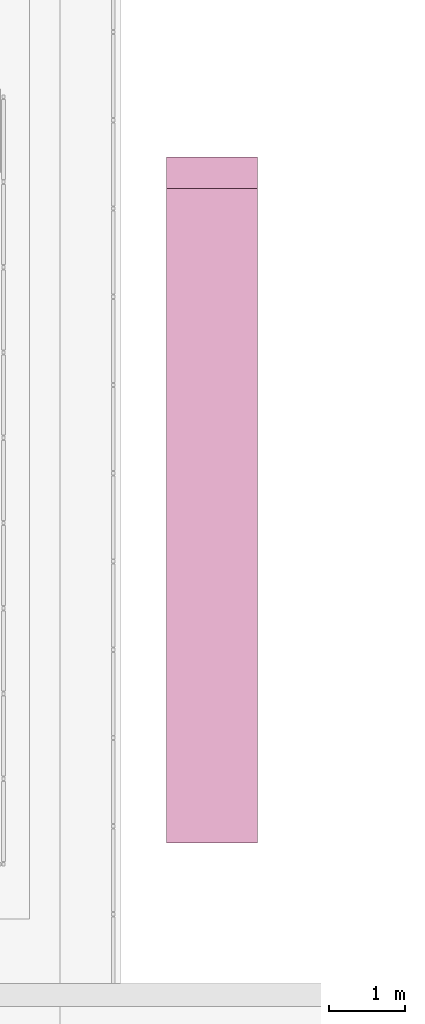
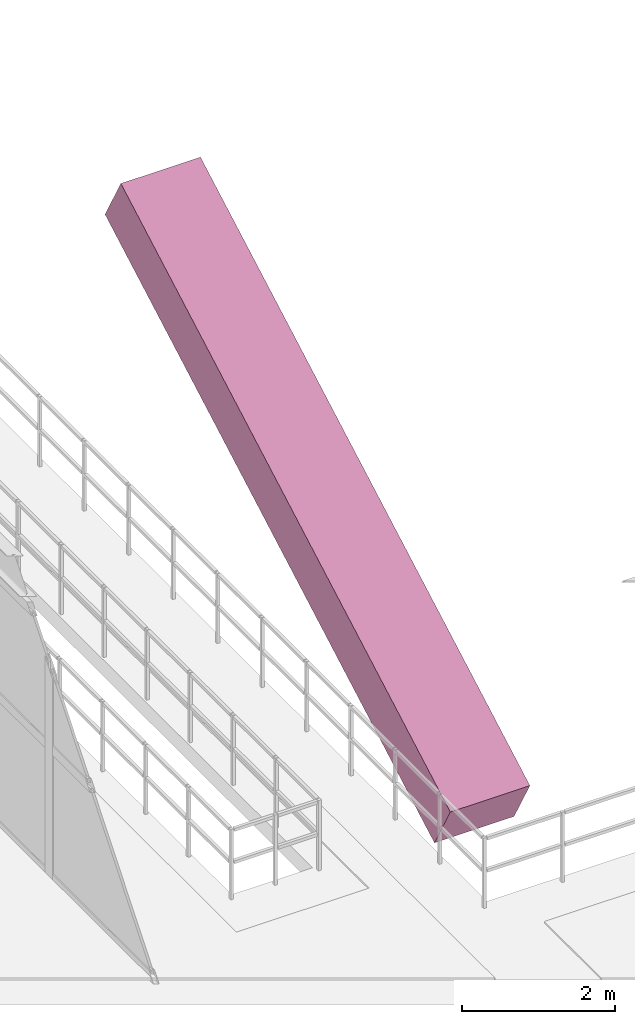
# One storey, part 125 of 125: 1 transport element.
"""IFC4 building model written with IfcOpenShell, lengths in metres."""

from ifc_helpers import new_model, si_unit, direction, frame, origin, place, context, subcontext, project, spatial, polyline, outline, extrude, material, type_object, element, save


model = new_model("IFC4")

# Units and contexts
model_context = context("Model", 3, precision=1e-05, world=origin(), true_north=direction((0.0, 1.0)))
body_context = subcontext(model_context, "Body", "Model", "MODEL_VIEW")
ifc_project = project(units=[si_unit("LENGTHUNIT", "METRE"), si_unit("AREAUNIT", "SQUARE_METRE"), si_unit("VOLUMEUNIT", "CUBIC_METRE"), si_unit("PLANEANGLEUNIT", "RADIAN"), si_unit("MASSUNIT", "GRAM", prefix="KILO")], contexts=[model_context])

# Site, building, storey
site_placement = place(None, origin())
site = spatial("IfcSite", under=ifc_project, at=site_placement, CompositionType="ELEMENT")
building_placement = place(site_placement, origin())
building = spatial("IfcBuilding", under=site, at=building_placement, Name="Myrtia Square Station", CompositionType="ELEMENT")
storey_placement = place(building_placement, frame((0.0, 0.0, 6.0)))
storey = spatial("IfcBuildingStorey", under=building, at=storey_placement, Name="L01", CompositionType="ELEMENT", Elevation=6.0)

# Transport element
ifc_material = material(Name="Dark bronze anodised aluminium", Category="aluminium")
transport_element_type = type_object("IfcTransportElementType", Name="TR-ESCALATOR", PredefinedType="ESCALATOR", material=ifc_material)
transport_element_placement = place(storey_placement, frame((84.60009765625, 50.0, 0.0), z_axis=(0.0, -0.487365719716, 0.873197947344), x_axis=(0.0, 0.873197947344, 0.487365719716)))
element("IfcTransportElement", 1, at=transport_element_placement, inside=storey, type_object=transport_element_type, Name="Public passenger escalator ESC-07", PredefinedType="ESCALATOR", context=body_context, shape_type="SweptSolid", body=[
    extrude(outline(polyline([(0.0, 0.0), (9.848966872186185, 0.0), (9.848966872186185, -1.199951171875), (0.0, -1.199951171875), (0.0, 0.0)])), origin(), (0.0, 0.0, -1.0), 0.85009765625),
])

save(model, "model.ifc")
